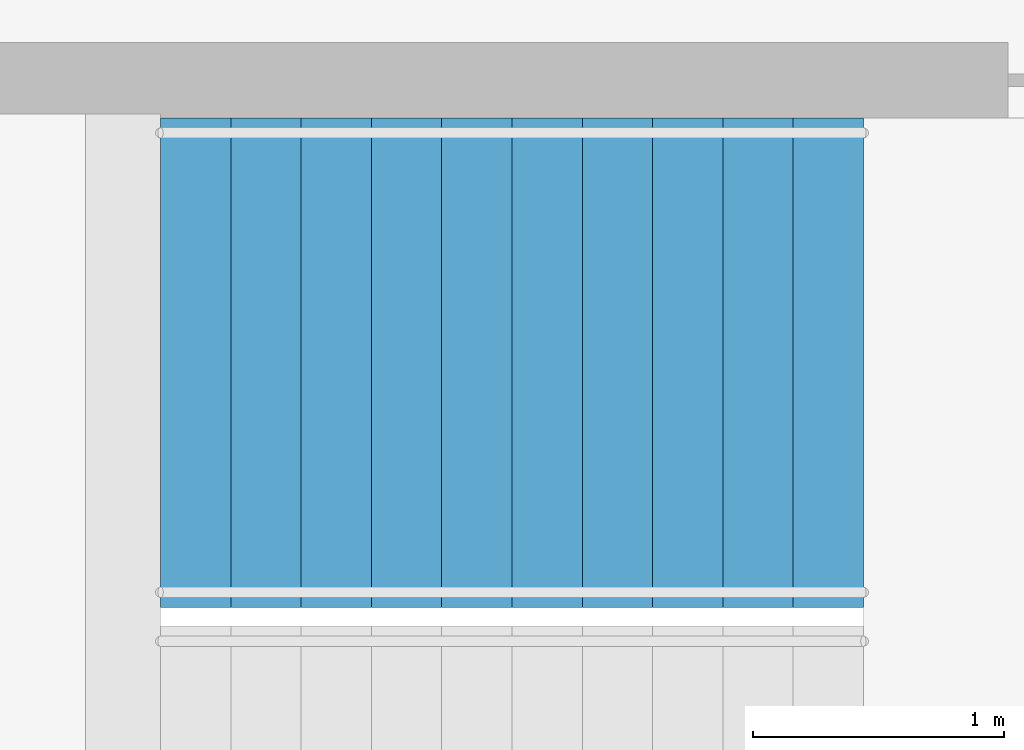
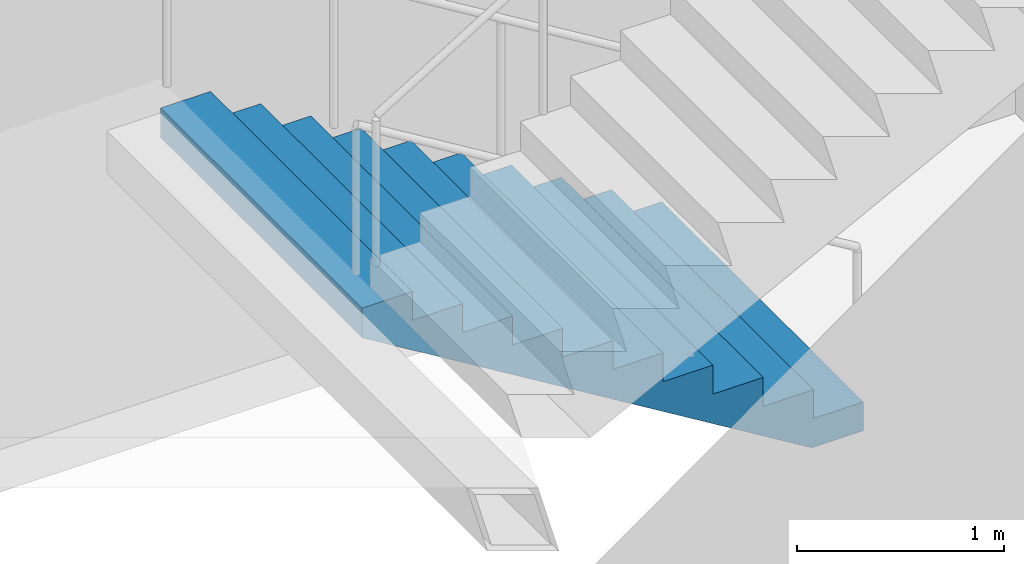
# One storey, part 21 of 22: 1 stair flight, 1 element without a shape of its own.
"""IFC4 building model written with IfcOpenShell, lengths in metres."""

from ifc_helpers import new_model, si_unit, direction, frame, origin, place, context, subcontext, project, spatial, triangles, material, type_object, element, aggregate, save


model = new_model("IFC4")

# Units and contexts
model_context = context("Model", 3, precision=1e-05, world=origin(), true_north=direction((0.0, 1.0)))
body_context = subcontext(model_context, "Body", "Model", "MODEL_VIEW")
ifc_project = project(units=[si_unit("LENGTHUNIT", "METRE"), si_unit("AREAUNIT", "SQUARE_METRE"), si_unit("VOLUMEUNIT", "CUBIC_METRE"), si_unit("PLANEANGLEUNIT", "RADIAN"), si_unit("MASSUNIT", "GRAM", prefix="KILO")], contexts=[model_context])

# Site, building, storey
site_placement = place(None, origin())
site = spatial("IfcSite", under=ifc_project, at=site_placement, CompositionType="ELEMENT")
building_placement = place(site_placement, origin())
building = spatial("IfcBuilding", under=site, at=building_placement, Name="Orbita Commons", CompositionType="ELEMENT")
storey_placement = place(building_placement, frame((0.0, 0.0, 121.89990234375)))
storey = spatial("IfcBuildingStorey", under=building, at=storey_placement, Name="L30", CompositionType="ELEMENT", Elevation=121.89990234375)

# Stair, stair flight
ifc_material_1 = material(Name="Precast concrete C40/50", Category="concrete")
stair_type = type_object("IfcStairType", Name="Exit stair S2 2 flights 11 risers 170", PredefinedType="HALF_TURN_STAIR", material=ifc_material_1)
stair_placement = place(storey_placement, origin())
stair = element("IfcStair", 1, at=stair_placement, inside=storey, type_object=stair_type, Name="Exit stair S2 L30", PredefinedType="HALF_TURN_STAIR")
ifc_material_2 = material(Name="Precast concrete C40/50", Category="concrete")
stair_flight_type = type_object("IfcStairFlightType", Name="Stair flight 11 risers 170 x 280", PredefinedType="STRAIGHT", material=ifc_material_2)
stair_flight_placement = place(storey_placement, frame((63.550048828125, 29.27490234375, 0.0), z_axis=(0.0, 0.0, 1.0), x_axis=(-1.0, 0.0, 0.0)))
stair_flight = element("IfcStairFlight", 2, at=stair_flight_placement, type_object=stair_flight_type, Name="S2 flight 1", NumberOfRisers=11, NumberOfTreads=10, PredefinedType="STRAIGHT", RiserHeight=0.170454545, TreadLength=0.28, context=body_context, shape_type="Tessellation", body=[
    triangles([(0.0, 0.974976, 0.0), (0.0, 0.974976, 0.021307), (0.0, 0.81248, 0.021307), (0.0, 0.81248, 0.0), (0.0, 0.649984, 0.021307), (0.0, 0.649984, 0.0), (0.0, 0.487488, 0.021307), (0.0, 0.487488, 0.0), (0.0, 0.324992, 0.021307), (0.0, 0.324992, 0.0), (0.0, 0.162496, 0.021307), (0.0, 0.162496, 0.0), (0.0, 0.0, 0.021307), (0.0, 0.0, 0.0), (0.0, -0.162496, 0.021307), (0.0, -0.162496, 0.0), (0.0, -0.324992, 0.021307), (0.0, -0.324992, 0.0), (0.0, -0.487488, 0.021307), (0.0, -0.487488, 0.0), (0.0, -0.649984, 0.021307), (0.0, -0.649984, 0.0), (0.0, -0.81248, 0.021307), (0.0, -0.81248, 0.0), (0.0, -0.974976, 0.021307), (0.0, -0.974976, 0.0), (0.0, 0.974976, 0.042614), (0.0, 0.81248, 0.042614), (0.0, 0.649984, 0.042614), (0.0, 0.487488, 0.042614), (0.0, 0.324992, 0.042614), (0.0, 0.162496, 0.042614), (0.0, 0.0, 0.042614), (0.0, -0.162496, 0.042614), (0.0, -0.324992, 0.042614), (0.0, -0.487488, 0.042614), (0.0, -0.649984, 0.042614), (0.0, -0.81248, 0.042614), (0.0, -0.974976, 0.042614), (0.0, 0.974976, 0.06392), (0.0, 0.81248, 0.06392), (0.0, 0.649984, 0.06392), (0.0, 0.487488, 0.06392), (0.0, 0.324992, 0.06392), (0.0, 0.162496, 0.06392), (0.0, 0.0, 0.06392), (0.0, -0.162496, 0.06392), (0.0, -0.324992, 0.06392), (0.0, -0.487488, 0.06392), (0.0, -0.649984, 0.06392), (0.0, -0.81248, 0.06392), (0.0, -0.974976, 0.06392), (0.0, 0.974976, 0.085227), (0.0, 0.81248, 0.085227), (0.0, 0.649984, 0.085227), (0.0, 0.487488, 0.085227), (0.0, 0.324992, 0.085227), (0.0, 0.162496, 0.085227), (0.0, 0.0, 0.085227), (0.0, -0.162496, 0.085227), (0.0, -0.324992, 0.085227), (0.0, -0.487488, 0.085227), (0.0, -0.649984, 0.085227), (0.0, -0.81248, 0.085227), (0.0, -0.974976, 0.085227), (0.0, 0.974976, 0.106534), (0.0, 0.81248, 0.106534), (0.0, 0.649984, 0.106534), (0.0, 0.487488, 0.106534), (0.0, 0.324992, 0.106534), (0.0, 0.162496, 0.106534), (0.0, 0.0, 0.106534), (0.0, -0.162496, 0.106534), (0.0, -0.324992, 0.106534), (0.0, -0.487488, 0.106534), (0.0, -0.649984, 0.106534), (0.0, -0.81248, 0.106534), (0.0, -0.974976, 0.106534), (0.0, 0.974976, 0.127841), (0.0, 0.81248, 0.127841), (0.0, 0.649984, 0.127841), (0.0, 0.487488, 0.127841), (0.0, 0.324992, 0.127841), (0.0, 0.162496, 0.127841), (0.0, 0.0, 0.127841), (0.0, -0.162496, 0.127841), (0.0, -0.324992, 0.127841), (0.0, -0.487488, 0.127841), (0.0, -0.649984, 0.127841), (0.0, -0.81248, 0.127841), (0.0, -0.974976, 0.127841), (0.0, 0.974976, 0.149148), (0.0, 0.81248, 0.149148), (0.0, 0.649984, 0.149148), (0.0, 0.487488, 0.149148), (0.0, 0.324992, 0.149148), (0.0, 0.162496, 0.149148), (0.0, 0.0, 0.149148), (0.0, -0.162496, 0.149148), (0.0, -0.324992, 0.149148), (0.0, -0.487488, 0.149148), (0.0, -0.649984, 0.149148), (0.0, -0.81248, 0.149148), (0.0, -0.974976, 0.149148), (0.0, 0.974976, 0.170455), (0.0, 0.81248, 0.170455), (0.0, 0.649984, 0.170455), (0.0, 0.487488, 0.170455), (0.0, 0.324992, 0.170455), (0.0, 0.162496, 0.170455), (0.0, 0.0, 0.170455), (0.0, -0.162496, 0.170455), (0.0, -0.324992, 0.170455), (0.0, -0.487488, 0.170455), (0.0, -0.649984, 0.170455), (0.0, -0.81248, 0.170455), (0.0, -0.974976, 0.170455), (0.28, 0.974976, 0.170455), (0.28, 0.81248, 0.170455), (0.28, 0.649984, 0.170455), (0.28, 0.487488, 0.170455), (0.28, 0.324992, 0.170455), (0.28, 0.162496, 0.170455), (0.28, 0.0, 0.170455), (0.28, -0.162496, 0.170455), (0.28, -0.324992, 0.170455), (0.28, -0.487488, 0.170455), (0.28, -0.649984, 0.170455), (0.28, -0.81248, 0.170455), (0.28, -0.974976, 0.170455), (0.28, 0.974976, 0.340909), (0.28, 0.81248, 0.340909), (0.28, 0.649984, 0.340909), (0.28, 0.487488, 0.340909), (0.28, 0.324992, 0.340909), (0.28, 0.162496, 0.340909), (0.28, 0.0, 0.340909), (0.28, -0.162496, 0.340909), (0.28, -0.324992, 0.340909), (0.28, -0.487488, 0.340909), (0.28, -0.649984, 0.340909), (0.28, -0.81248, 0.340909), (0.28, -0.974976, 0.340909), (0.56, 0.974976, 0.340909), (0.56, 0.81248, 0.340909), (0.56, 0.649984, 0.340909), (0.56, 0.487488, 0.340909), (0.56, 0.324992, 0.340909), (0.56, 0.162496, 0.340909), (0.56, 0.0, 0.340909), (0.56, -0.162496, 0.340909), (0.56, -0.324992, 0.340909), (0.56, -0.487488, 0.340909), (0.56, -0.649984, 0.340909), (0.56, -0.81248, 0.340909), (0.56, -0.974976, 0.340909), (0.56, 0.974976, 0.511364), (0.56, 0.81248, 0.511364), (0.56, 0.649984, 0.511364), (0.56, 0.487488, 0.511364), (0.56, 0.324992, 0.511364), (0.56, 0.162496, 0.511364), (0.56, 0.0, 0.511364), (0.56, -0.162496, 0.511364), (0.56, -0.324992, 0.511364), (0.56, -0.487488, 0.511364), (0.56, -0.649984, 0.511364), (0.56, -0.81248, 0.511364), (0.56, -0.974976, 0.511364), (0.84, 0.974976, 0.511364), (0.84, 0.81248, 0.511364), (0.84, 0.649984, 0.511364), (0.84, 0.487488, 0.511364), (0.84, 0.324992, 0.511364), (0.84, 0.162496, 0.511364), (0.84, 0.0, 0.511364), (0.84, -0.162496, 0.511364), (0.84, -0.324992, 0.511364), (0.84, -0.487488, 0.511364), (0.84, -0.649984, 0.511364), (0.84, -0.81248, 0.511364), (0.84, -0.974976, 0.511364), (0.84, 0.974976, 0.681818), (0.84, 0.81248, 0.681818), (0.84, 0.649984, 0.681818), (0.84, 0.487488, 0.681818), (0.84, 0.324992, 0.681818), (0.84, 0.162496, 0.681818), (0.84, 0.0, 0.681818), (0.84, -0.162496, 0.681818), (0.84, -0.324992, 0.681818), (0.84, -0.487488, 0.681818), (0.84, -0.649984, 0.681818), (0.84, -0.81248, 0.681818), (0.84, -0.974976, 0.681818), (1.12, 0.974976, 0.681818), (1.12, 0.81248, 0.681818), (1.12, 0.649984, 0.681818), (1.12, 0.487488, 0.681818), (1.12, 0.324992, 0.681818), (1.12, 0.162496, 0.681818), (1.12, 0.0, 0.681818), (1.12, -0.162496, 0.681818), (1.12, -0.324992, 0.681818), (1.12, -0.487488, 0.681818), (1.12, -0.649984, 0.681818), (1.12, -0.81248, 0.681818), (1.12, -0.974976, 0.681818), (1.12, 0.974976, 0.852273), (1.12, 0.81248, 0.852273), (1.12, 0.649984, 0.852273), (1.12, 0.487488, 0.852273), (1.12, 0.324992, 0.852273), (1.12, 0.162496, 0.852273), (1.12, 0.0, 0.852273), (1.12, -0.162496, 0.852273), (1.12, -0.324992, 0.852273), (1.12, -0.487488, 0.852273), (1.12, -0.649984, 0.852273), (1.12, -0.81248, 0.852273), (1.12, -0.974976, 0.852273), (1.4, 0.974976, 0.852273), (1.4, 0.81248, 0.852273), (1.4, 0.649984, 0.852273), (1.4, 0.487488, 0.852273), (1.4, 0.324992, 0.852273), (1.4, 0.162496, 0.852273), (1.4, 0.0, 0.852273), (1.4, -0.162496, 0.852273), (1.4, -0.324992, 0.852273), (1.4, -0.487488, 0.852273), (1.4, -0.649984, 0.852273), (1.4, -0.81248, 0.852273), (1.4, -0.974976, 0.852273), (1.4, 0.974976, 1.022727), (1.4, 0.81248, 1.022727), (1.4, 0.649984, 1.022727), (1.4, 0.487488, 1.022727), (1.4, 0.324992, 1.022727), (1.4, 0.162496, 1.022727), (1.4, 0.0, 1.022727), (1.4, -0.162496, 1.022727), (1.4, -0.324992, 1.022727), (1.4, -0.487488, 1.022727), (1.4, -0.649984, 1.022727), (1.4, -0.81248, 1.022727), (1.4, -0.974976, 1.022727), (1.68, 0.974976, 1.022727), (1.68, 0.81248, 1.022727), (1.68, 0.649984, 1.022727), (1.68, 0.487488, 1.022727), (1.68, 0.324992, 1.022727), (1.68, 0.162496, 1.022727), (1.68, 0.0, 1.022727), (1.68, -0.162496, 1.022727), (1.68, -0.324992, 1.022727), (1.68, -0.487488, 1.022727), (1.68, -0.649984, 1.022727), (1.68, -0.81248, 1.022727), (1.68, -0.974976, 1.022727), (1.68, 0.974976, 1.193182), (1.68, 0.81248, 1.193182), (1.68, 0.649984, 1.193182), (1.68, 0.487488, 1.193182), (1.68, 0.324992, 1.193182), (1.68, 0.162496, 1.193182), (1.68, 0.0, 1.193182), (1.68, -0.162496, 1.193182), (1.68, -0.324992, 1.193182), (1.68, -0.487488, 1.193182), (1.68, -0.649984, 1.193182), (1.68, -0.81248, 1.193182), (1.68, -0.974976, 1.193182), (1.96, 0.974976, 1.193182), (1.96, 0.81248, 1.193182), (1.96, 0.649984, 1.193182), (1.96, 0.487488, 1.193182), (1.96, 0.324992, 1.193182), (1.96, 0.162496, 1.193182), (1.96, 0.0, 1.193182), (1.96, -0.162496, 1.193182), (1.96, -0.324992, 1.193182), (1.96, -0.487488, 1.193182), (1.96, -0.649984, 1.193182), (1.96, -0.81248, 1.193182), (1.96, -0.974976, 1.193182), (1.96, 0.974976, 1.363636), (1.96, 0.81248, 1.363636), (1.96, 0.649984, 1.363636), (1.96, 0.487488, 1.363636), (1.96, 0.324992, 1.363636), (1.96, 0.162496, 1.363636), (1.96, 0.0, 1.363636), (1.96, -0.162496, 1.363636), (1.96, -0.324992, 1.363636), (1.96, -0.487488, 1.363636), (1.96, -0.649984, 1.363636), (1.96, -0.81248, 1.363636), (1.96, -0.974976, 1.363636), (2.24, 0.974976, 1.363636), (2.24, 0.81248, 1.363636), (2.24, 0.649984, 1.363636), (2.24, 0.487488, 1.363636), (2.24, 0.324992, 1.363636), (2.24, 0.162496, 1.363636), (2.24, 0.0, 1.363636), (2.24, -0.162496, 1.363636), (2.24, -0.324992, 1.363636), (2.24, -0.487488, 1.363636), (2.24, -0.649984, 1.363636), (2.24, -0.81248, 1.363636), (2.24, -0.974976, 1.363636), (2.24, 0.974976, 1.534091), (2.24, 0.81248, 1.534091), (2.24, 0.649984, 1.534091), (2.24, 0.487488, 1.534091), (2.24, 0.324992, 1.534091), (2.24, 0.162496, 1.534091), (2.24, 0.0, 1.534091), (2.24, -0.162496, 1.534091), (2.24, -0.324992, 1.534091), (2.24, -0.487488, 1.534091), (2.24, -0.649984, 1.534091), (2.24, -0.81248, 1.534091), (2.24, -0.974976, 1.534091), (2.52, 0.974976, 1.534091), (2.52, 0.81248, 1.534091), (2.52, 0.649984, 1.534091), (2.52, 0.487488, 1.534091), (2.52, 0.324992, 1.534091), (2.52, 0.162496, 1.534091), (2.52, 0.0, 1.534091), (2.52, -0.162496, 1.534091), (2.52, -0.324992, 1.534091), (2.52, -0.487488, 1.534091), (2.52, -0.649984, 1.534091), (2.52, -0.81248, 1.534091), (2.52, -0.974976, 1.534091), (2.52, 0.974976, 1.704545), (2.52, 0.81248, 1.704545), (2.52, 0.649984, 1.704545), (2.52, 0.487488, 1.704545), (2.52, 0.324992, 1.704545), (2.52, 0.162496, 1.704545), (2.52, 0.0, 1.704545), (2.52, -0.162496, 1.704545), (2.52, -0.324992, 1.704545), (2.52, -0.487488, 1.704545), (2.52, -0.649984, 1.704545), (2.52, -0.81248, 1.704545), (2.52, -0.974976, 1.704545), (2.8, 0.974976, 1.704545), (2.8, 0.81248, 1.704545), (2.8, 0.649984, 1.704545), (2.8, 0.487488, 1.704545), (2.8, 0.324992, 1.704545), (2.8, 0.162496, 1.704545), (2.8, 0.0, 1.704545), (2.8, -0.162496, 1.704545), (2.8, -0.324992, 1.704545), (2.8, -0.487488, 1.704545), (2.8, -0.649984, 1.704545), (2.8, -0.81248, 1.704545), (2.8, -0.974976, 1.704545), (2.8, 0.974976, 1.682609), (2.8, 0.81248, 1.682609), (2.8, 0.649984, 1.682609), (2.8, 0.487488, 1.682609), (2.8, 0.324992, 1.682609), (2.8, 0.162496, 1.682609), (2.8, 0.0, 1.682609), (2.8, -0.162496, 1.682609), (2.8, -0.324992, 1.682609), (2.8, -0.487488, 1.682609), (2.8, -0.649984, 1.682609), (2.8, -0.81248, 1.682609), (2.8, -0.974976, 1.682609), (2.8, 0.974976, 1.660672), (2.8, 0.81248, 1.660672), (2.8, 0.649984, 1.660672), (2.8, 0.487488, 1.660672), (2.8, 0.324992, 1.660672), (2.8, 0.162496, 1.660672), (2.8, 0.0, 1.660672), (2.8, -0.162496, 1.660672), (2.8, -0.324992, 1.660672), (2.8, -0.487488, 1.660672), (2.8, -0.649984, 1.660672), (2.8, -0.81248, 1.660672), (2.8, -0.974976, 1.660672), (2.8, 0.974976, 1.638735), (2.8, 0.81248, 1.638735), (2.8, 0.649984, 1.638735), (2.8, 0.487488, 1.638735), (2.8, 0.324992, 1.638735), (2.8, 0.162496, 1.638735), (2.8, 0.0, 1.638735), (2.8, -0.162496, 1.638735), (2.8, -0.324992, 1.638735), (2.8, -0.487488, 1.638735), (2.8, -0.649984, 1.638735), (2.8, -0.81248, 1.638735), (2.8, -0.974976, 1.638735), (2.8, 0.974976, 1.616798), (2.8, 0.81248, 1.616798), (2.8, 0.649984, 1.616798), (2.8, 0.487488, 1.616798), (2.8, 0.324992, 1.616798), (2.8, 0.162496, 1.616798), (2.8, 0.0, 1.616798), (2.8, -0.162496, 1.616798), (2.8, -0.324992, 1.616798), (2.8, -0.487488, 1.616798), (2.8, -0.649984, 1.616798), (2.8, -0.81248, 1.616798), (2.8, -0.974976, 1.616798), (2.8, 0.974976, 1.594861), (2.8, 0.81248, 1.594861), (2.8, 0.649984, 1.594861), (2.8, 0.487488, 1.594861), (2.8, 0.324992, 1.594861), (2.8, 0.162496, 1.594861), (2.8, 0.0, 1.594861), (2.8, -0.162496, 1.594861), (2.8, -0.324992, 1.594861), (2.8, -0.487488, 1.594861), (2.8, -0.649984, 1.594861), (2.8, -0.81248, 1.594861), (2.8, -0.974976, 1.594861), (2.8, 0.974976, 1.572925), (2.8, 0.81248, 1.572925), (2.8, 0.649984, 1.572925), (2.8, 0.487488, 1.572925), (2.8, 0.324992, 1.572925), (2.8, 0.162496, 1.572925), (2.8, 0.0, 1.572925), (2.8, -0.162496, 1.572925), (2.8, -0.324992, 1.572925), (2.8, -0.487488, 1.572925), (2.8, -0.649984, 1.572925), (2.8, -0.81248, 1.572925), (2.8, -0.974976, 1.572925), (2.8, 0.974976, 1.550988), (2.8, 0.81248, 1.550988), (2.8, 0.649984, 1.550988), (2.8, 0.487488, 1.550988), (2.8, 0.324992, 1.550988), (2.8, 0.162496, 1.550988), (2.8, 0.0, 1.550988), (2.8, -0.162496, 1.550988), (2.8, -0.324992, 1.550988), (2.8, -0.487488, 1.550988), (2.8, -0.649984, 1.550988), (2.8, -0.81248, 1.550988), (2.8, -0.974976, 1.550988), (2.8, 0.974976, 1.529051), (2.8, 0.81248, 1.529051), (2.8, 0.649984, 1.529051), (2.8, 0.487488, 1.529051), (2.8, 0.324992, 1.529051), (2.8, 0.162496, 1.529051), (2.8, 0.0, 1.529051), (2.8, -0.162496, 1.529051), (2.8, -0.324992, 1.529051), (2.8, -0.487488, 1.529051), (2.8, -0.649984, 1.529051), (2.8, -0.81248, 1.529051), (2.8, -0.974976, 1.529051), (0.288279, 0.974976, 0.0), (0.288279, 0.81248, 0.0), (0.288279, 0.649984, 0.0), (0.288279, 0.487488, 0.0), (0.288279, 0.324992, 0.0), (0.288279, 0.162496, 0.0), (0.288279, 0.0, 0.0), (0.288279, -0.162496, 0.0), (0.288279, -0.324992, 0.0), (0.288279, -0.487488, 0.0), (0.288279, -0.649984, 0.0), (0.288279, -0.81248, 0.0), (0.288279, -0.974976, 0.0)], [[3, 2, 1], [4, 3, 1], [5, 3, 4], [6, 5, 4], [7, 5, 6], [8, 7, 6], [9, 7, 8], [10, 9, 8], [11, 9, 10], [12, 11, 10], [13, 11, 12], [14, 13, 12], [15, 13, 14], [16, 15, 14], [17, 15, 16], [18, 17, 16], [19, 17, 18], [20, 19, 18], [21, 19, 20], [22, 21, 20], [23, 21, 22], [24, 23, 22], [25, 23, 24], [26, 25, 24], [28, 27, 2], [3, 28, 2], [29, 28, 3], [5, 29, 3], [30, 29, 5], [7, 30, 5], [31, 30, 7], [9, 31, 7], [32, 31, 9], [11, 32, 9], [33, 32, 11], [13, 33, 11], [34, 33, 13], [15, 34, 13], [35, 34, 15], [17, 35, 15], [36, 35, 17], [19, 36, 17], [37, 36, 19], [21, 37, 19], [38, 37, 21], [23, 38, 21], [39, 38, 23], [25, 39, 23], [41, 40, 27], [28, 41, 27], [42, 41, 28], [29, 42, 28], [43, 42, 29], [30, 43, 29], [44, 43, 30], [31, 44, 30], [45, 44, 31], [32, 45, 31], [46, 45, 32], [33, 46, 32], [47, 46, 33], [34, 47, 33], [48, 47, 34], [35, 48, 34], [49, 48, 35], [36, 49, 35], [50, 49, 36], [37, 50, 36], [51, 50, 37], [38, 51, 37], [52, 51, 38], [39, 52, 38], [54, 53, 40], [41, 54, 40], [55, 54, 41], [42, 55, 41], [56, 55, 42], [43, 56, 42], [57, 56, 43], [44, 57, 43], [58, 57, 44], [45, 58, 44], [59, 58, 45], [46, 59, 45], [60, 59, 46], [47, 60, 46], [61, 60, 47], [48, 61, 47], [62, 61, 48], [49, 62, 48], [63, 62, 49], [50, 63, 49], [64, 63, 50], [51, 64, 50], [65, 64, 51], [52, 65, 51], [67, 66, 53], [54, 67, 53], [68, 67, 54], [55, 68, 54], [69, 68, 55], [56, 69, 55], [70, 69, 56], [57, 70, 56], [71, 70, 57], [58, 71, 57], [72, 71, 58], [59, 72, 58], [73, 72, 59], [60, 73, 59], [74, 73, 60], [61, 74, 60], [75, 74, 61], [62, 75, 61], [76, 75, 62], [63, 76, 62], [77, 76, 63], [64, 77, 63], [78, 77, 64], [65, 78, 64], [80, 79, 66], [67, 80, 66], [81, 80, 67], [68, 81, 67], [82, 81, 68], [69, 82, 68], [83, 82, 69], [70, 83, 69], [84, 83, 70], [71, 84, 70], [85, 84, 71], [72, 85, 71], [86, 85, 72], [73, 86, 72], [87, 86, 73], [74, 87, 73], [88, 87, 74], [75, 88, 74], [89, 88, 75], [76, 89, 75], [90, 89, 76], [77, 90, 76], [91, 90, 77], [78, 91, 77], [93, 92, 79], [80, 93, 79], [94, 93, 80], [81, 94, 80], [95, 94, 81], [82, 95, 81], [96, 95, 82], [83, 96, 82], [97, 96, 83], [84, 97, 83], [98, 97, 84], [85, 98, 84], [99, 98, 85], [86, 99, 85], [100, 99, 86], [87, 100, 86], [101, 100, 87], [88, 101, 87], [102, 101, 88], [89, 102, 88], [103, 102, 89], [90, 103, 89], [104, 103, 90], [91, 104, 90], [106, 105, 92], [93, 106, 92], [107, 106, 93], [94, 107, 93], [108, 107, 94], [95, 108, 94], [109, 108, 95], [96, 109, 95], [110, 109, 96], [97, 110, 96], [111, 110, 97], [98, 111, 97], [112, 111, 98], [99, 112, 98], [113, 112, 99], [100, 113, 99], [114, 113, 100], [101, 114, 100], [115, 114, 101], [102, 115, 101], [116, 115, 102], [103, 116, 102], [117, 116, 103], [104, 117, 103], [119, 118, 105], [106, 119, 105], [120, 119, 106], [107, 120, 106], [121, 120, 107], [108, 121, 107], [122, 121, 108], [109, 122, 108], [123, 122, 109], [110, 123, 109], [124, 123, 110], [111, 124, 110], [125, 124, 111], [112, 125, 111], [126, 125, 112], [113, 126, 112], [127, 126, 113], [114, 127, 113], [128, 127, 114], [115, 128, 114], [129, 128, 115], [116, 129, 115], [130, 129, 116], [117, 130, 116], [132, 131, 118], [119, 132, 118], [133, 132, 119], [120, 133, 119], [134, 133, 120], [121, 134, 120], [135, 134, 121], [122, 135, 121], [136, 135, 122], [123, 136, 122], [137, 136, 123], [124, 137, 123], [138, 137, 124], [125, 138, 124], [139, 138, 125], [126, 139, 125], [140, 139, 126], [127, 140, 126], [141, 140, 127], [128, 141, 127], [142, 141, 128], [129, 142, 128], [143, 142, 129], [130, 143, 129], [145, 144, 131], [132, 145, 131], [146, 145, 132], [133, 146, 132], [147, 146, 133], [134, 147, 133], [148, 147, 134], [135, 148, 134], [149, 148, 135], [136, 149, 135], [150, 149, 136], [137, 150, 136], [151, 150, 137], [138, 151, 137], [152, 151, 138], [139, 152, 138], [153, 152, 139], [140, 153, 139], [154, 153, 140], [141, 154, 140], [155, 154, 141], [142, 155, 141], [156, 155, 142], [143, 156, 142], [158, 157, 144], [145, 158, 144], [159, 158, 145], [146, 159, 145], [160, 159, 146], [147, 160, 146], [161, 160, 147], [148, 161, 147], [162, 161, 148], [149, 162, 148], [163, 162, 149], [150, 163, 149], [164, 163, 150], [151, 164, 150], [165, 164, 151], [152, 165, 151], [166, 165, 152], [153, 166, 152], [167, 166, 153], [154, 167, 153], [168, 167, 154], [155, 168, 154], [169, 168, 155], [156, 169, 155], [171, 170, 157], [158, 171, 157], [172, 171, 158], [159, 172, 158], [173, 172, 159], [160, 173, 159], [174, 173, 160], [161, 174, 160], [175, 174, 161], [162, 175, 161], [176, 175, 162], [163, 176, 162], [177, 176, 163], [164, 177, 163], [178, 177, 164], [165, 178, 164], [179, 178, 165], [166, 179, 165], [180, 179, 166], [167, 180, 166], [181, 180, 167], [168, 181, 167], [182, 181, 168], [169, 182, 168], [184, 183, 170], [171, 184, 170], [185, 184, 171], [172, 185, 171], [186, 185, 172], [173, 186, 172], [187, 186, 173], [174, 187, 173], [188, 187, 174], [175, 188, 174], [189, 188, 175], [176, 189, 175], [190, 189, 176], [177, 190, 176], [191, 190, 177], [178, 191, 177], [192, 191, 178], [179, 192, 178], [193, 192, 179], [180, 193, 179], [194, 193, 180], [181, 194, 180], [195, 194, 181], [182, 195, 181], [197, 196, 183], [184, 197, 183], [198, 197, 184], [185, 198, 184], [199, 198, 185], [186, 199, 185], [200, 199, 186], [187, 200, 186], [201, 200, 187], [188, 201, 187], [202, 201, 188], [189, 202, 188], [203, 202, 189], [190, 203, 189], [204, 203, 190], [191, 204, 190], [205, 204, 191], [192, 205, 191], [206, 205, 192], [193, 206, 192], [207, 206, 193], [194, 207, 193], [208, 207, 194], [195, 208, 194], [210, 209, 196], [197, 210, 196], [211, 210, 197], [198, 211, 197], [212, 211, 198], [199, 212, 198], [213, 212, 199], [200, 213, 199], [214, 213, 200], [201, 214, 200], [215, 214, 201], [202, 215, 201], [216, 215, 202], [203, 216, 202], [217, 216, 203], [204, 217, 203], [218, 217, 204], [205, 218, 204], [219, 218, 205], [206, 219, 205], [220, 219, 206], [207, 220, 206], [221, 220, 207], [208, 221, 207], [223, 222, 209], [210, 223, 209], [224, 223, 210], [211, 224, 210], [225, 224, 211], [212, 225, 211], [226, 225, 212], [213, 226, 212], [227, 226, 213], [214, 227, 213], [228, 227, 214], [215, 228, 214], [229, 228, 215], [216, 229, 215], [230, 229, 216], [217, 230, 216], [231, 230, 217], [218, 231, 217], [232, 231, 218], [219, 232, 218], [233, 232, 219], [220, 233, 219], [234, 233, 220], [221, 234, 220], [236, 235, 222], [223, 236, 222], [237, 236, 223], [224, 237, 223], [238, 237, 224], [225, 238, 224], [239, 238, 225], [226, 239, 225], [240, 239, 226], [227, 240, 226], [241, 240, 227], [228, 241, 227], [242, 241, 228], [229, 242, 228], [243, 242, 229], [230, 243, 229], [244, 243, 230], [231, 244, 230], [245, 244, 231], [232, 245, 231], [246, 245, 232], [233, 246, 232], [247, 246, 233], [234, 247, 233], [249, 248, 235], [236, 249, 235], [250, 249, 236], [237, 250, 236], [251, 250, 237], [238, 251, 237], [252, 251, 238], [239, 252, 238], [253, 252, 239], [240, 253, 239], [254, 253, 240], [241, 254, 240], [255, 254, 241], [242, 255, 241], [256, 255, 242], [243, 256, 242], [257, 256, 243], [244, 257, 243], [258, 257, 244], [245, 258, 244], [259, 258, 245], [246, 259, 245], [260, 259, 246], [247, 260, 246], [262, 261, 248], [249, 262, 248], [263, 262, 249], [250, 263, 249], [264, 263, 250], [251, 264, 250], [265, 264, 251], [252, 265, 251], [266, 265, 252], [253, 266, 252], [267, 266, 253], [254, 267, 253], [268, 267, 254], [255, 268, 254], [269, 268, 255], [256, 269, 255], [270, 269, 256], [257, 270, 256], [271, 270, 257], [258, 271, 257], [272, 271, 258], [259, 272, 258], [273, 272, 259], [260, 273, 259], [275, 274, 261], [262, 275, 261], [276, 275, 262], [263, 276, 262], [277, 276, 263], [264, 277, 263], [278, 277, 264], [265, 278, 264], [279, 278, 265], [266, 279, 265], [280, 279, 266], [267, 280, 266], [281, 280, 267], [268, 281, 267], [282, 281, 268], [269, 282, 268], [283, 282, 269], [270, 283, 269], [284, 283, 270], [271, 284, 270], [285, 284, 271], [272, 285, 271], [286, 285, 272], [273, 286, 272], [288, 287, 274], [275, 288, 274], [289, 288, 275], [276, 289, 275], [290, 289, 276], [277, 290, 276], [291, 290, 277], [278, 291, 277], [292, 291, 278], [279, 292, 278], [293, 292, 279], [280, 293, 279], [294, 293, 280], [281, 294, 280], [295, 294, 281], [282, 295, 281], [296, 295, 282], [283, 296, 282], [297, 296, 283], [284, 297, 283], [298, 297, 284], [285, 298, 284], [299, 298, 285], [286, 299, 285], [301, 300, 287], [288, 301, 287], [302, 301, 288], [289, 302, 288], [303, 302, 289], [290, 303, 289], [304, 303, 290], [291, 304, 290], [305, 304, 291], [292, 305, 291], [306, 305, 292], [293, 306, 292], [307, 306, 293], [294, 307, 293], [308, 307, 294], [295, 308, 294], [309, 308, 295], [296, 309, 295], [310, 309, 296], [297, 310, 296], [311, 310, 297], [298, 311, 297], [312, 311, 298], [299, 312, 298], [314, 313, 300], [301, 314, 300], [315, 314, 301], [302, 315, 301], [316, 315, 302], [303, 316, 302], [317, 316, 303], [304, 317, 303], [318, 317, 304], [305, 318, 304], [319, 318, 305], [306, 319, 305], [320, 319, 306], [307, 320, 306], [321, 320, 307], [308, 321, 307], [322, 321, 308], [309, 322, 308], [323, 322, 309], [310, 323, 309], [324, 323, 310], [311, 324, 310], [325, 324, 311], [312, 325, 311], [327, 326, 313], [314, 327, 313], [328, 327, 314], [315, 328, 314], [329, 328, 315], [316, 329, 315], [330, 329, 316], [317, 330, 316], [331, 330, 317], [318, 331, 317], [332, 331, 318], [319, 332, 318], [333, 332, 319], [320, 333, 319], [334, 333, 320], [321, 334, 320], [335, 334, 321], [322, 335, 321], [336, 335, 322], [323, 336, 322], [337, 336, 323], [324, 337, 323], [338, 337, 324], [325, 338, 324], [340, 339, 326], [327, 340, 326], [341, 340, 327], [328, 341, 327], [342, 341, 328], [329, 342, 328], [343, 342, 329], [330, 343, 329], [344, 343, 330], [331, 344, 330], [345, 344, 331], [332, 345, 331], [346, 345, 332], [333, 346, 332], [347, 346, 333], [334, 347, 333], [348, 347, 334], [335, 348, 334], [349, 348, 335], [336, 349, 335], [350, 349, 336], [337, 350, 336], [351, 350, 337], [338, 351, 337], [353, 352, 339], [340, 353, 339], [354, 353, 340], [341, 354, 340], [355, 354, 341], [342, 355, 341], [356, 355, 342], [343, 356, 342], [357, 356, 343], [344, 357, 343], [358, 357, 344], [345, 358, 344], [359, 358, 345], [346, 359, 345], [360, 359, 346], [347, 360, 346], [361, 360, 347], [348, 361, 347], [362, 361, 348], [349, 362, 348], [363, 362, 349], [350, 363, 349], [364, 363, 350], [351, 364, 350], [366, 365, 352], [353, 366, 352], [367, 366, 353], [354, 367, 353], [368, 367, 354], [355, 368, 354], [369, 368, 355], [356, 369, 355], [370, 369, 356], [357, 370, 356], [371, 370, 357], [358, 371, 357], [372, 371, 358], [359, 372, 358], [373, 372, 359], [360, 373, 359], [374, 373, 360], [361, 374, 360], [375, 374, 361], [362, 375, 361], [376, 375, 362], [363, 376, 362], [377, 376, 363], [364, 377, 363], [379, 378, 365], [366, 379, 365], [380, 379, 366], [367, 380, 366], [381, 380, 367], [368, 381, 367], [382, 381, 368], [369, 382, 368], [383, 382, 369], [370, 383, 369], [384, 383, 370], [371, 384, 370], [385, 384, 371], [372, 385, 371], [386, 385, 372], [373, 386, 372], [387, 386, 373], [374, 387, 373], [388, 387, 374], [375, 388, 374], [389, 388, 375], [376, 389, 375], [390, 389, 376], [377, 390, 376], [392, 391, 378], [379, 392, 378], [393, 392, 379], [380, 393, 379], [394, 393, 380], [381, 394, 380], [395, 394, 381], [382, 395, 381], [396, 395, 382], [383, 396, 382], [397, 396, 383], [384, 397, 383], [398, 397, 384], [385, 398, 384], [399, 398, 385], [386, 399, 385], [400, 399, 386], [387, 400, 386], [401, 400, 387], [388, 401, 387], [402, 401, 388], [389, 402, 388], [403, 402, 389], [390, 403, 389], [405, 404, 391], [392, 405, 391], [406, 405, 392], [393, 406, 392], [407, 406, 393], [394, 407, 393], [408, 407, 394], [395, 408, 394], [409, 408, 395], [396, 409, 395], [410, 409, 396], [397, 410, 396], [411, 410, 397], [398, 411, 397], [412, 411, 398], [399, 412, 398], [413, 412, 399], [400, 413, 399], [414, 413, 400], [401, 414, 400], [415, 414, 401], [402, 415, 401], [416, 415, 402], [403, 416, 402], [418, 417, 404], [405, 418, 404], [419, 418, 405], [406, 419, 405], [420, 419, 406], [407, 420, 406], [421, 420, 407], [408, 421, 407], [422, 421, 408], [409, 422, 408], [423, 422, 409], [410, 423, 409], [424, 423, 410], [411, 424, 410], [425, 424, 411], [412, 425, 411], [426, 425, 412], [413, 426, 412], [427, 426, 413], [414, 427, 413], [428, 427, 414], [415, 428, 414], [429, 428, 415], [416, 429, 415], [431, 430, 417], [418, 431, 417], [432, 431, 418], [419, 432, 418], [433, 432, 419], [420, 433, 419], [434, 433, 420], [421, 434, 420], [435, 434, 421], [422, 435, 421], [436, 435, 422], [423, 436, 422], [437, 436, 423], [424, 437, 423], [438, 437, 424], [425, 438, 424], [439, 438, 425], [426, 439, 425], [440, 439, 426], [427, 440, 426], [441, 440, 427], [428, 441, 427], [442, 441, 428], [429, 442, 428], [444, 443, 430], [431, 444, 430], [445, 444, 431], [432, 445, 431], [446, 445, 432], [433, 446, 432], [447, 446, 433], [434, 447, 433], [448, 447, 434], [435, 448, 434], [449, 448, 435], [436, 449, 435], [450, 449, 436], [437, 450, 436], [451, 450, 437], [438, 451, 437], [452, 451, 438], [439, 452, 438], [453, 452, 439], [440, 453, 439], [454, 453, 440], [441, 454, 440], [455, 454, 441], [442, 455, 441], [457, 456, 443], [444, 457, 443], [458, 457, 444], [445, 458, 444], [459, 458, 445], [446, 459, 445], [460, 459, 446], [447, 460, 446], [461, 460, 447], [448, 461, 447], [462, 461, 448], [449, 462, 448], [463, 462, 449], [450, 463, 449], [464, 463, 450], [451, 464, 450], [465, 464, 451], [452, 465, 451], [466, 465, 452], [453, 466, 452], [467, 466, 453], [454, 467, 453], [468, 467, 454], [455, 468, 454], [470, 469, 456], [457, 470, 456], [471, 470, 457], [458, 471, 457], [472, 471, 458], [459, 472, 458], [473, 472, 459], [460, 473, 459], [474, 473, 460], [461, 474, 460], [475, 474, 461], [462, 475, 461], [476, 475, 462], [463, 476, 462], [477, 476, 463], [464, 477, 463], [478, 477, 464], [465, 478, 464], [479, 478, 465], [466, 479, 465], [480, 479, 466], [467, 480, 466], [481, 480, 467], [468, 481, 467], [4, 1, 469], [470, 4, 469], [6, 4, 470], [471, 6, 470], [8, 6, 471], [472, 8, 471], [10, 8, 472], [473, 10, 472], [12, 10, 473], [474, 12, 473], [14, 12, 474], [475, 14, 474], [16, 14, 475], [476, 16, 475], [18, 16, 476], [477, 18, 476], [20, 18, 477], [478, 20, 477], [22, 20, 478], [479, 22, 478], [24, 22, 479], [480, 24, 479], [26, 24, 480], [481, 26, 480], [456, 469, 1], [26, 481, 468], [443, 456, 1], [26, 468, 455], [430, 443, 1], [26, 455, 442], [417, 430, 1], [26, 442, 429], [404, 417, 1], [26, 429, 416], [391, 404, 1], [26, 416, 403], [378, 391, 1], [26, 403, 390], [365, 378, 1], [26, 390, 377], [339, 352, 365], [377, 364, 351], [326, 339, 365], [377, 351, 338], [300, 313, 326], [338, 325, 312], [300, 326, 365], [377, 338, 312], [274, 287, 300], [312, 299, 286], [274, 300, 365], [377, 312, 286], [248, 261, 274], [286, 273, 260], [248, 274, 365], [377, 286, 260], [222, 235, 248], [260, 247, 234], [222, 248, 365], [377, 260, 234], [196, 209, 222], [234, 221, 208], [196, 222, 365], [377, 234, 208], [170, 183, 196], [208, 195, 182], [170, 196, 365], [377, 208, 182], [144, 157, 170], [182, 169, 156], [144, 170, 365], [377, 182, 156], [118, 131, 144], [156, 143, 130], [118, 144, 365], [377, 156, 130], [118, 365, 1], [26, 377, 130], [92, 105, 118], [130, 117, 104], [79, 92, 118], [130, 104, 91], [66, 79, 118], [130, 91, 78], [53, 66, 118], [130, 78, 65], [40, 53, 118], [130, 65, 52], [27, 40, 118], [130, 52, 39], [2, 27, 118], [130, 39, 25], [1, 2, 118], [130, 25, 26]], closed=True),
])
aggregate(stair, [stair_flight])

save(model, "model.ifc")
